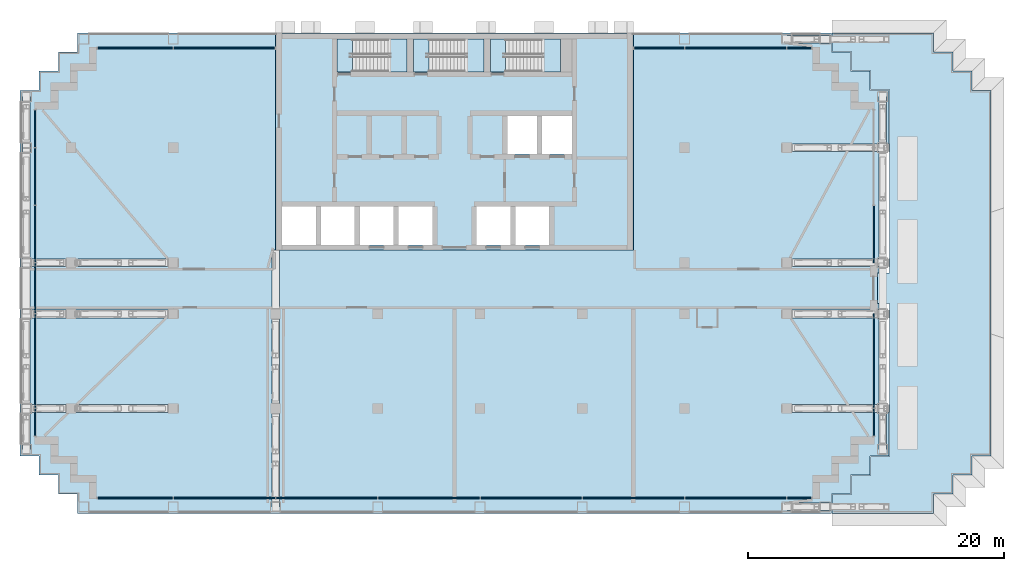
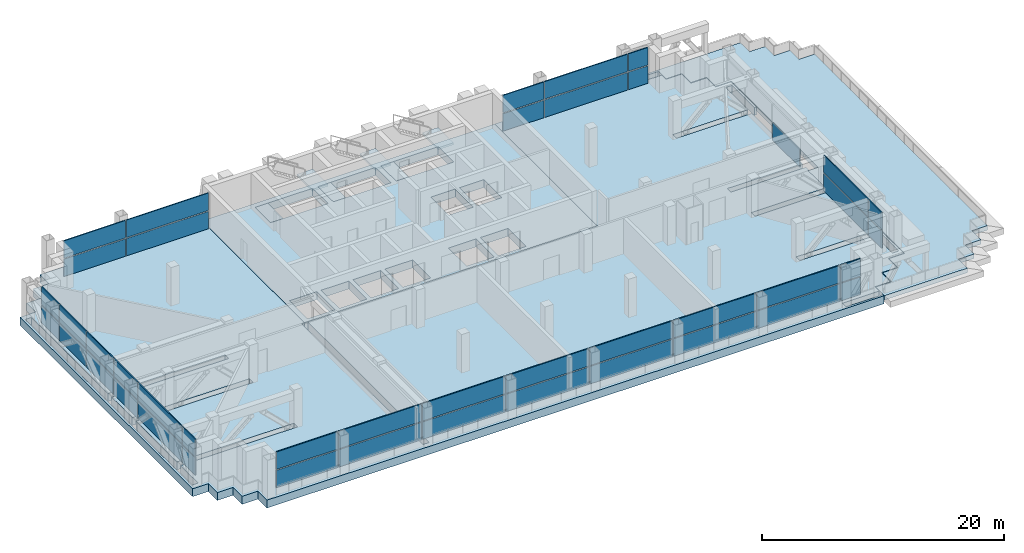
# One storey, part 7 of 25: 43 plates, 9 slabs, 9 elements without a shape of their own.
"""IFC4 building model written with IfcOpenShell, lengths in metres."""

from ifc_helpers import new_model, si_unit, direction, frame, origin, origin_2d, place, context, subcontext, project, spatial, polyline, rectangle, outline, extrude, material, layer, layer_set, type_object, element, aggregate, save


model = new_model("IFC4")

# Units and contexts
model_context = context("Model", 3, precision=1e-05, world=origin(), true_north=direction((0.0, 1.0)))
body_context = subcontext(model_context, "Body", "Model", "MODEL_VIEW")
ifc_project = project(units=[si_unit("LENGTHUNIT", "METRE"), si_unit("AREAUNIT", "SQUARE_METRE"), si_unit("VOLUMEUNIT", "CUBIC_METRE"), si_unit("PLANEANGLEUNIT", "RADIAN"), si_unit("MASSUNIT", "GRAM", prefix="KILO")], contexts=[model_context])

# Site, building, storey
site_placement = place(None, origin())
site = spatial("IfcSite", under=ifc_project, at=site_placement, CompositionType="ELEMENT")
building_placement = place(site_placement, origin())
building = spatial("IfcBuilding", under=site, at=building_placement, Name="Vidyagriha Tower", CompositionType="ELEMENT")
storey_placement = place(building_placement, frame((0.0, 0.0, 115.89990234375)))
storey = spatial("IfcBuildingStorey", under=building, at=storey_placement, Name="L29", CompositionType="ELEMENT", Elevation=115.89990234375)

# Slabs
ifc_material_1 = material(Name="Concrete C60/75", Category="concrete")
ifc_layer_1 = layer(ifc_material_1, 0.800048828125)
ifc_layer_set_1 = layer_set([ifc_layer_1], Name="Concrete C60/75")
slab_type_1 = type_object("IfcSlabType", Name="Core floor slab 800 mm", PredefinedType="FLOOR", material=ifc_layer_set_1)
slab_1_placement = place(storey_placement, frame((0.0, 0.0, -0.7998046875)))
element("IfcSlab", 1, at=slab_1_placement, inside=storey, type_object=slab_type_1, Name="L29 core floor 1", PredefinedType="FLOOR", context=body_context, shape_type="SweptSolid", body=[
    extrude(outline(polyline([(-14.0, 3.0), (-14.0, 20.0), (14.0, 20.0), (14.0, 3.0), (-14.0, 3.0)]), holes=[polyline([(9.199951171875, 13.5), (6.86669921875, 13.5), (6.86669921875, 10.5), (9.199951171875, 10.5), (9.199951171875, 13.5)]), polyline([(4.0, 19.5), (2.800048828125, 19.5), (2.800048828125, 16.949951171875), (4.0, 16.949951171875), (8.300048828125, 16.949951171875), (8.300048828125, 19.5), (4.0, 19.5)]), polyline([(7.4111328125, 6.39990234375), (4.7666015625, 6.39990234375), (4.7666015625, 3.39990234375), (7.4111328125, 3.39990234375), (7.4111328125, 6.39990234375)]), polyline([(6.466796875, 13.5), (4.13330078125, 13.5), (4.13330078125, 10.5), (6.466796875, 10.5), (6.466796875, 13.5)]), polyline([(1.72216796875, 6.39990234375), (1.72216796875, 3.39990234375), (4.36669921875, 3.39990234375), (4.36669921875, 6.39990234375), (1.72216796875, 6.39990234375)]), polyline([(-2.0, 16.949951171875), (2.300048828125, 16.949951171875), (2.300048828125, 19.5), (-2.0, 19.5), (-3.199951171875, 19.5), (-3.199951171875, 16.949951171875), (-2.0, 16.949951171875)]), polyline([(-1.72216796875, 6.39990234375), (-4.36669921875, 6.39990234375), (-4.36669921875, 3.39990234375), (-1.72216796875, 3.39990234375), (-1.72216796875, 6.39990234375)]), polyline([(-8.0, 19.5), (-9.199951171875, 19.5), (-9.199951171875, 16.949951171875), (-8.0, 16.949951171875), (-3.699951171875, 16.949951171875), (-3.699951171875, 19.5), (-8.0, 19.5)]), polyline([(-4.7666015625, 6.39990234375), (-7.4111328125, 6.39990234375), (-7.4111328125, 3.39990234375), (-4.7666015625, 3.39990234375), (-4.7666015625, 6.39990234375)]), polyline([(-7.81103515625, 6.39990234375), (-10.45556640625, 6.39990234375), (-10.45556640625, 3.39990234375), (-7.81103515625, 3.39990234375), (-7.81103515625, 6.39990234375)]), polyline([(-13.5, 6.39990234375), (-13.5, 3.39990234375), (-10.855712890625, 3.39990234375), (-10.855712890625, 6.39990234375), (-13.5, 6.39990234375)])]), origin(), (0.0, 0.0, 1.0), 0.7998046875),
])
ifc_material_2 = material(Name="Concrete C40/50", Category="concrete")
ifc_layer_2 = layer(ifc_material_2, 0.800048828125)
ifc_layer_set_2 = layer_set([ifc_layer_2], Name="Concrete C40/50")
slab_type_2 = type_object("IfcSlabType", Name="Exit stair floor landing 800 mm", PredefinedType="LANDING", material=ifc_layer_set_2)
slab_2_placement = place(storey_placement, frame((0.0, 0.0, -0.7998046875)))
element("IfcSlab", 2, at=slab_2_placement, inside=storey, type_object=slab_type_2, Name="ST1 floor landing L29", PredefinedType="LANDING", context=body_context, shape_type="SweptSolid", body=[
    extrude(outline(polyline([(-9.199951171875, 16.949951171875), (-8.0, 16.949951171875), (-8.0, 19.5), (-9.199951171875, 19.5), (-9.199951171875, 16.949951171875)])), origin(), (0.0, 0.0, 1.0), 0.7998046875),
])
slab_3_placement = place(storey_placement, frame((0.0, 0.0, -0.7998046875)))
element("IfcSlab", 3, at=slab_3_placement, inside=storey, type_object=slab_type_2, Name="ST2 floor landing L29", PredefinedType="LANDING", context=body_context, shape_type="SweptSolid", body=[
    extrude(outline(polyline([(-3.199951171875, 16.949951171875), (-2.0, 16.949951171875), (-2.0, 19.5), (-3.199951171875, 19.5), (-3.199951171875, 16.949951171875)])), origin(), (0.0, 0.0, 1.0), 0.7998046875),
])
slab_4_placement = place(storey_placement, frame((0.0, 0.0, -0.7998046875)))
element("IfcSlab", 4, at=slab_4_placement, inside=storey, type_object=slab_type_2, Name="ST3 floor landing L29", PredefinedType="LANDING", context=body_context, shape_type="SweptSolid", body=[
    extrude(outline(polyline([(2.800048828125, 16.949951171875), (4.0, 16.949951171875), (4.0, 19.5), (2.800048828125, 19.5), (2.800048828125, 16.949951171875)])), origin(), (0.0, 0.0, 1.0), 0.7998046875),
])

# Stair, slab
ifc_material_3 = material(Name="Concrete C40/50", Category="concrete")
stair_type = type_object("IfcStairType", Name="Exit stair, half-turn, precast flights", PredefinedType="HALF_TURN_STAIR", material=ifc_material_3)
stair_1_placement = place(storey_placement, origin())
stair_1 = element("IfcStair", 5, at=stair_1_placement, inside=storey, type_object=stair_type, Name="L29 Exit Stair ST1", PredefinedType="HALF_TURN_STAIR")
ifc_material_4 = material(Name="Concrete C40/50", Category="concrete")
ifc_layer_3 = layer(ifc_material_4, 0.199951171875)
ifc_layer_set_3 = layer_set([ifc_layer_3], Name="Concrete C40/50")
slab_type_3 = type_object("IfcSlabType", Name="Exit stair landing 200 mm", PredefinedType="LANDING", material=ifc_layer_set_3)
slab_5_placement = place(storey_placement, frame((0.0, 0.0, 1.75)))
slab_5 = element("IfcSlab", 6, at=slab_5_placement, type_object=slab_type_3, Name="ST1 landing 1", PredefinedType="LANDING", context=body_context, shape_type="SweptSolid", body=[
    extrude(outline(polyline([(-5.199951171875, 16.949951171875), (-3.699951171875, 16.949951171875), (-3.699951171875, 19.5), (-5.199951171875, 19.5), (-5.199951171875, 16.949951171875)])), origin(), (0.0, 0.0, 1.0), 0.2001953125),
])
aggregate(stair_1, [slab_5])

stair_2_placement = place(storey_placement, origin())
stair_2 = element("IfcStair", 7, at=stair_2_placement, inside=storey, type_object=stair_type, Name="L29 Exit Stair ST2", PredefinedType="HALF_TURN_STAIR")
slab_6_placement = place(storey_placement, frame((0.0, 0.0, 1.75)))
slab_6 = element("IfcSlab", 8, at=slab_6_placement, type_object=slab_type_3, Name="ST2 landing 1", PredefinedType="LANDING", context=body_context, shape_type="SweptSolid", body=[
    extrude(outline(polyline([(0.800048828125, 16.949951171875), (2.300048828125, 16.949951171875), (2.300048828125, 19.5), (0.800048828125, 19.5), (0.800048828125, 16.949951171875)])), origin(), (0.0, 0.0, 1.0), 0.2001953125),
])
aggregate(stair_2, [slab_6])

stair_3_placement = place(storey_placement, origin())
stair_3 = element("IfcStair", 9, at=stair_3_placement, inside=storey, type_object=stair_type, Name="L29 Exit Stair ST3", PredefinedType="HALF_TURN_STAIR")
slab_7_placement = place(storey_placement, frame((0.0, 0.0, 1.75)))
slab_7 = element("IfcSlab", 10, at=slab_7_placement, type_object=slab_type_3, Name="ST3 landing 1", PredefinedType="LANDING", context=body_context, shape_type="SweptSolid", body=[
    extrude(outline(polyline([(6.800048828125, 16.949951171875), (8.300048828125, 16.949951171875), (8.300048828125, 19.5), (6.800048828125, 19.5), (6.800048828125, 16.949951171875)])), origin(), (0.0, 0.0, 1.0), 0.2001953125),
])
aggregate(stair_3, [slab_7])

# Curtain wall, plates
ifc_material_5 = material(Name="Aluminium and glass curtain wall", Category="aluminium")
curtain_wall_type = type_object("IfcCurtainWallType", Name="Plant louvre wall", PredefinedType="USERDEFINED", material=ifc_material_5)
curtain_wall_1_placement = place(storey_placement, origin())
curtain_wall_1 = element("IfcCurtainWall", 11, at=curtain_wall_1_placement, inside=storey, type_object=curtain_wall_type, Name="CW7 plant louvre wall", ObjectType="STICK GLAZING", PredefinedType="USERDEFINED")
ifc_material_6 = material(Name="Perforated fired clay brick jaali screen", Category="masonry")
ifc_layer_4 = layer(ifc_material_6, 0.10009765625)
ifc_layer_set_4 = layer_set([ifc_layer_4], Name="Perforated fired clay brick jaali screen")
plate_type = type_object("IfcPlateType", Name="Perforated brick jaali screen panel", PredefinedType="CURTAIN_PANEL", material=ifc_layer_set_4)
plate_1_placement = place(storey_placement, frame((26.97998046875, 18.800048828125, 0.0), z_axis=(0.0, 0.0, 1.0), x_axis=(-1.0, 0.0, 0.0)))
plate_1 = element("IfcPlate", 12, at=plate_1_placement, type_object=plate_type, Name="CW7 panel 1.1", PredefinedType="CURTAIN_PANEL", context=body_context, shape_type="SweptSolid", body=[
    extrude(rectangle(XDim=1.8798828125, YDim=0.10009765625, at=origin_2d()), origin(), (0.0, 0.0, 1.0), 1.760009765625),
])
plate_2_placement = place(storey_placement, frame((26.97998046875, 18.800048828125, 1.85986328125), z_axis=(0.0, 0.0, 1.0), x_axis=(-1.0, 0.0, 0.0)))
plate_2 = element("IfcPlate", 13, at=plate_2_placement, type_object=plate_type, Name="CW7 panel 1.2", PredefinedType="CURTAIN_PANEL", context=body_context, shape_type="SweptSolid", body=[
    extrude(rectangle(XDim=1.8798828125, YDim=0.10009765625, at=origin_2d()), origin(), (0.0, 0.0, 1.0), 1.760009765625),
])
plate_3_placement = place(storey_placement, frame((22.0, 18.800048828125, 0.0), z_axis=(0.0, 0.0, 1.0), x_axis=(-1.0, 0.0, 0.0)))
plate_3 = element("IfcPlate", 14, at=plate_3_placement, type_object=plate_type, Name="CW7 panel 2.1", PredefinedType="CURTAIN_PANEL", context=body_context, shape_type="SweptSolid", body=[
    extrude(rectangle(XDim=7.919921875, YDim=0.10009765625, at=origin_2d()), origin(), (0.0, 0.0, 1.0), 1.760009765625),
])
plate_4_placement = place(storey_placement, frame((22.0, 18.800048828125, 1.85986328125), z_axis=(0.0, 0.0, 1.0), x_axis=(-1.0, 0.0, 0.0)))
plate_4 = element("IfcPlate", 15, at=plate_4_placement, type_object=plate_type, Name="CW7 panel 2.2", PredefinedType="CURTAIN_PANEL", context=body_context, shape_type="SweptSolid", body=[
    extrude(rectangle(XDim=7.919921875, YDim=0.10009765625, at=origin_2d()), origin(), (0.0, 0.0, 1.0), 1.760009765625),
])
plate_5_placement = place(storey_placement, frame((16.02001953125, 18.800048828125, 0.0), z_axis=(0.0, 0.0, 1.0), x_axis=(-1.0, 0.0, 0.0)))
plate_5 = element("IfcPlate", 16, at=plate_5_placement, type_object=plate_type, Name="CW7 panel 3.1", PredefinedType="CURTAIN_PANEL", context=body_context, shape_type="SweptSolid", body=[
    extrude(rectangle(XDim=3.8798828125, YDim=0.10009765625, at=origin_2d()), origin(), (0.0, 0.0, 1.0), 1.760009765625),
])
plate_6_placement = place(storey_placement, frame((16.02001953125, 18.800048828125, 1.85986328125), z_axis=(0.0, 0.0, 1.0), x_axis=(-1.0, 0.0, 0.0)))
plate_6 = element("IfcPlate", 17, at=plate_6_placement, type_object=plate_type, Name="CW7 panel 3.2", PredefinedType="CURTAIN_PANEL", context=body_context, shape_type="SweptSolid", body=[
    extrude(rectangle(XDim=3.8798828125, YDim=0.10009765625, at=origin_2d()), origin(), (0.0, 0.0, 1.0), 1.760009765625),
])
aggregate(curtain_wall_1, [plate_1, plate_2, plate_3, plate_4, plate_5, plate_6])

curtain_wall_2_placement = place(storey_placement, origin())
curtain_wall_2 = element("IfcCurtainWall", 18, at=curtain_wall_2_placement, inside=storey, type_object=curtain_wall_type, Name="CW7 plant louvre wall", ObjectType="STICK GLAZING", PredefinedType="USERDEFINED")
plate_7_placement = place(storey_placement, frame((-18.02001953125, 18.800048828125, 0.0), z_axis=(0.0, 0.0, 1.0), x_axis=(-1.0, 0.0, 0.0)))
plate_7 = element("IfcPlate", 19, at=plate_7_placement, type_object=plate_type, Name="CW7 panel 1.1", PredefinedType="CURTAIN_PANEL", context=body_context, shape_type="SweptSolid", body=[
    extrude(rectangle(XDim=7.8798828125, YDim=0.10009765625, at=origin_2d()), origin(), (0.0, 0.0, 1.0), 1.760009765625),
])
plate_8_placement = place(storey_placement, frame((-18.02001953125, 18.800048828125, 1.85986328125), z_axis=(0.0, 0.0, 1.0), x_axis=(-1.0, 0.0, 0.0)))
plate_8 = element("IfcPlate", 20, at=plate_8_placement, type_object=plate_type, Name="CW7 panel 1.2", PredefinedType="CURTAIN_PANEL", context=body_context, shape_type="SweptSolid", body=[
    extrude(rectangle(XDim=7.8798828125, YDim=0.10009765625, at=origin_2d()), origin(), (0.0, 0.0, 1.0), 1.760009765625),
])
plate_9_placement = place(storey_placement, frame((-24.97998046875, 18.800048828125, 0.0), z_axis=(0.0, 0.0, 1.0), x_axis=(-1.0, 0.0, 0.0)))
plate_9 = element("IfcPlate", 21, at=plate_9_placement, type_object=plate_type, Name="CW7 panel 2.1", PredefinedType="CURTAIN_PANEL", context=body_context, shape_type="SweptSolid", body=[
    extrude(rectangle(XDim=5.8798828125, YDim=0.10009765625, at=origin_2d()), origin(), (0.0, 0.0, 1.0), 1.760009765625),
])
plate_10_placement = place(storey_placement, frame((-24.97998046875, 18.800048828125, 1.85986328125), z_axis=(0.0, 0.0, 1.0), x_axis=(-1.0, 0.0, 0.0)))
plate_10 = element("IfcPlate", 22, at=plate_10_placement, type_object=plate_type, Name="CW7 panel 2.2", PredefinedType="CURTAIN_PANEL", context=body_context, shape_type="SweptSolid", body=[
    extrude(rectangle(XDim=5.8798828125, YDim=0.10009765625, at=origin_2d()), origin(), (0.0, 0.0, 1.0), 1.760009765625),
])
aggregate(curtain_wall_2, [plate_7, plate_8, plate_9, plate_10])

curtain_wall_3_placement = place(storey_placement, origin())
curtain_wall_3 = element("IfcCurtainWall", 23, at=curtain_wall_3_placement, inside=storey, type_object=curtain_wall_type, Name="CW7 plant louvre wall", ObjectType="STICK GLAZING", PredefinedType="USERDEFINED")
plate_11_placement = place(storey_placement, frame((-32.800048828125, 12.47998046875, 0.0), z_axis=(0.0, 0.0, 1.0), x_axis=(0.0, -1.0, 0.0)))
plate_11 = element("IfcPlate", 24, at=plate_11_placement, type_object=plate_type, Name="CW7 panel 1.1", PredefinedType="CURTAIN_PANEL", context=body_context, shape_type="SweptSolid", body=[
    extrude(rectangle(XDim=2.8798828125, YDim=0.10009765625, at=origin_2d()), origin(), (0.0, 0.0, 1.0), 1.760009765625),
])
plate_12_placement = place(storey_placement, frame((-32.800048828125, 12.47998046875, 1.85986328125), z_axis=(0.0, 0.0, 1.0), x_axis=(0.0, -1.0, 0.0)))
plate_12 = element("IfcPlate", 25, at=plate_12_placement, type_object=plate_type, Name="CW7 panel 1.2", PredefinedType="CURTAIN_PANEL", context=body_context, shape_type="SweptSolid", body=[
    extrude(rectangle(XDim=2.8798828125, YDim=0.10009765625, at=origin_2d()), origin(), (0.0, 0.0, 1.0), 1.760009765625),
])
plate_13_placement = place(storey_placement, frame((-32.800048828125, 8.75, 0.0), z_axis=(0.0, 0.0, 1.0), x_axis=(0.0, -1.0, 0.0)))
plate_13 = element("IfcPlate", 26, at=plate_13_placement, type_object=plate_type, Name="CW7 panel 2.1", PredefinedType="CURTAIN_PANEL", context=body_context, shape_type="SweptSolid", body=[
    extrude(rectangle(XDim=4.419921875, YDim=0.10009765625, at=origin_2d()), origin(), (0.0, 0.0, 1.0), 1.760009765625),
])
plate_14_placement = place(storey_placement, frame((-32.800048828125, 8.75, 1.85986328125), z_axis=(0.0, 0.0, 1.0), x_axis=(0.0, -1.0, 0.0)))
plate_14 = element("IfcPlate", 27, at=plate_14_placement, type_object=plate_type, Name="CW7 panel 2.2", PredefinedType="CURTAIN_PANEL", context=body_context, shape_type="SweptSolid", body=[
    extrude(rectangle(XDim=4.419921875, YDim=0.10009765625, at=origin_2d()), origin(), (0.0, 0.0, 1.0), 1.760009765625),
])
plate_15_placement = place(storey_placement, frame((-32.800048828125, 4.25, 0.0), z_axis=(0.0, 0.0, 1.0), x_axis=(0.0, -1.0, 0.0)))
plate_15 = element("IfcPlate", 28, at=plate_15_placement, type_object=plate_type, Name="CW7 panel 3.1", PredefinedType="CURTAIN_PANEL", context=body_context, shape_type="SweptSolid", body=[
    extrude(rectangle(XDim=4.419921875, YDim=0.10009765625, at=origin_2d()), origin(), (0.0, 0.0, 1.0), 1.760009765625),
])
plate_16_placement = place(storey_placement, frame((-32.800048828125, 4.25, 1.85986328125), z_axis=(0.0, 0.0, 1.0), x_axis=(0.0, -1.0, 0.0)))
plate_16 = element("IfcPlate", 29, at=plate_16_placement, type_object=plate_type, Name="CW7 panel 3.2", PredefinedType="CURTAIN_PANEL", context=body_context, shape_type="SweptSolid", body=[
    extrude(rectangle(XDim=4.419921875, YDim=0.10009765625, at=origin_2d()), origin(), (0.0, 0.0, 1.0), 1.760009765625),
])
plate_17_placement = place(storey_placement, frame((-32.800048828125, 0.0, 0.0), z_axis=(0.0, 0.0, 1.0), x_axis=(0.0, -1.0, 0.0)))
plate_17 = element("IfcPlate", 30, at=plate_17_placement, type_object=plate_type, Name="CW7 panel 4.1", PredefinedType="CURTAIN_PANEL", context=body_context, shape_type="SweptSolid", body=[
    extrude(rectangle(XDim=3.919921875, YDim=0.10009765625, at=origin_2d()), origin(), (0.0, 0.0, 1.0), 1.760009765625),
])
plate_18_placement = place(storey_placement, frame((-32.800048828125, 0.0, 1.85986328125), z_axis=(0.0, 0.0, 1.0), x_axis=(0.0, -1.0, 0.0)))
plate_18 = element("IfcPlate", 31, at=plate_18_placement, type_object=plate_type, Name="CW7 panel 4.2", PredefinedType="CURTAIN_PANEL", context=body_context, shape_type="SweptSolid", body=[
    extrude(rectangle(XDim=3.919921875, YDim=0.10009765625, at=origin_2d()), origin(), (0.0, 0.0, 1.0), 1.760009765625),
])
plate_19_placement = place(storey_placement, frame((-32.800048828125, -5.699951171875, 0.0), z_axis=(0.0, 0.0, 1.0), x_axis=(0.0, -1.0, 0.0)))
plate_19 = element("IfcPlate", 32, at=plate_19_placement, type_object=plate_type, Name="CW7 panel 5.1", PredefinedType="CURTAIN_PANEL", context=body_context, shape_type="SweptSolid", body=[
    extrude(rectangle(XDim=7.320068359375, YDim=0.10009765625, at=origin_2d()), origin(), (0.0, 0.0, 1.0), 1.760009765625),
])
plate_20_placement = place(storey_placement, frame((-32.800048828125, -5.699951171875, 1.85986328125), z_axis=(0.0, 0.0, 1.0), x_axis=(0.0, -1.0, 0.0)))
plate_20 = element("IfcPlate", 33, at=plate_20_placement, type_object=plate_type, Name="CW7 panel 5.2", PredefinedType="CURTAIN_PANEL", context=body_context, shape_type="SweptSolid", body=[
    extrude(rectangle(XDim=7.320068359375, YDim=0.10009765625, at=origin_2d()), origin(), (0.0, 0.0, 1.0), 1.760009765625),
])
plate_21_placement = place(storey_placement, frame((-32.800048828125, -10.47998046875, 0.0), z_axis=(0.0, 0.0, 1.0), x_axis=(0.0, -1.0, 0.0)))
plate_21 = element("IfcPlate", 34, at=plate_21_placement, type_object=plate_type, Name="CW7 panel 6.1", PredefinedType="CURTAIN_PANEL", context=body_context, shape_type="SweptSolid", body=[
    extrude(rectangle(XDim=2.080078125, YDim=0.10009765625, at=origin_2d()), origin(), (0.0, 0.0, 1.0), 1.760009765625),
])
plate_22_placement = place(storey_placement, frame((-32.800048828125, -10.47998046875, 1.85986328125), z_axis=(0.0, 0.0, 1.0), x_axis=(0.0, -1.0, 0.0)))
plate_22 = element("IfcPlate", 35, at=plate_22_placement, type_object=plate_type, Name="CW7 panel 6.2", PredefinedType="CURTAIN_PANEL", context=body_context, shape_type="SweptSolid", body=[
    extrude(rectangle(XDim=2.080078125, YDim=0.10009765625, at=origin_2d()), origin(), (0.0, 0.0, 1.0), 1.760009765625),
])
aggregate(curtain_wall_3, [plate_11, plate_12, plate_13, plate_14, plate_15, plate_16, plate_17, plate_18, plate_19, plate_20, plate_21, plate_22])

curtain_wall_4_placement = place(storey_placement, origin())
curtain_wall_4 = element("IfcCurtainWall", 36, at=curtain_wall_4_placement, inside=storey, type_object=curtain_wall_type, Name="CW7 plant louvre wall", ObjectType="STICK GLAZING", PredefinedType="USERDEFINED")
plate_23_placement = place(storey_placement, frame((-24.97998046875, -16.39990234375, 0.0)))
plate_23 = element("IfcPlate", 37, at=plate_23_placement, type_object=plate_type, Name="CW7 panel 1.1", PredefinedType="CURTAIN_PANEL", context=body_context, shape_type="SweptSolid", body=[
    extrude(rectangle(XDim=5.8798828125, YDim=0.10009765625, at=origin_2d()), origin(), (0.0, 0.0, 1.0), 1.760009765625),
])
plate_24_placement = place(storey_placement, frame((-24.97998046875, -16.39990234375, 1.85986328125)))
plate_24 = element("IfcPlate", 38, at=plate_24_placement, type_object=plate_type, Name="CW7 panel 1.2", PredefinedType="CURTAIN_PANEL", context=body_context, shape_type="SweptSolid", body=[
    extrude(rectangle(XDim=5.8798828125, YDim=0.10009765625, at=origin_2d()), origin(), (0.0, 0.0, 1.0), 1.760009765625),
])
plate_25_placement = place(storey_placement, frame((-18.0, -16.39990234375, 0.0)))
plate_25 = element("IfcPlate", 39, at=plate_25_placement, type_object=plate_type, Name="CW7 panel 2.1", PredefinedType="CURTAIN_PANEL", context=body_context, shape_type="SweptSolid", body=[
    extrude(rectangle(XDim=7.919921875, YDim=0.10009765625, at=origin_2d()), origin(), (0.0, 0.0, 1.0), 1.760009765625),
])
plate_26_placement = place(storey_placement, frame((-18.0, -16.39990234375, 1.85986328125)))
plate_26 = element("IfcPlate", 40, at=plate_26_placement, type_object=plate_type, Name="CW7 panel 2.2", PredefinedType="CURTAIN_PANEL", context=body_context, shape_type="SweptSolid", body=[
    extrude(rectangle(XDim=7.919921875, YDim=0.10009765625, at=origin_2d()), origin(), (0.0, 0.0, 1.0), 1.760009765625),
])
plate_27_placement = place(storey_placement, frame((-10.0, -16.39990234375, 0.0)))
plate_27 = element("IfcPlate", 41, at=plate_27_placement, type_object=plate_type, Name="CW7 panel 3.1", PredefinedType="CURTAIN_PANEL", context=body_context, shape_type="SweptSolid", body=[
    extrude(rectangle(XDim=7.919921875, YDim=0.10009765625, at=origin_2d()), origin(), (0.0, 0.0, 1.0), 1.760009765625),
])
plate_28_placement = place(storey_placement, frame((-10.0, -16.39990234375, 1.85986328125)))
plate_28 = element("IfcPlate", 42, at=plate_28_placement, type_object=plate_type, Name="CW7 panel 3.2", PredefinedType="CURTAIN_PANEL", context=body_context, shape_type="SweptSolid", body=[
    extrude(rectangle(XDim=7.919921875, YDim=0.10009765625, at=origin_2d()), origin(), (0.0, 0.0, 1.0), 1.760009765625),
])
plate_29_placement = place(storey_placement, frame((-2.0, -16.39990234375, 0.0)))
plate_29 = element("IfcPlate", 43, at=plate_29_placement, type_object=plate_type, Name="CW7 panel 4.1", PredefinedType="CURTAIN_PANEL", context=body_context, shape_type="SweptSolid", body=[
    extrude(rectangle(XDim=7.919921875, YDim=0.10009765625, at=origin_2d()), origin(), (0.0, 0.0, 1.0), 1.760009765625),
])
plate_30_placement = place(storey_placement, frame((-2.0, -16.39990234375, 1.85986328125)))
plate_30 = element("IfcPlate", 44, at=plate_30_placement, type_object=plate_type, Name="CW7 panel 4.2", PredefinedType="CURTAIN_PANEL", context=body_context, shape_type="SweptSolid", body=[
    extrude(rectangle(XDim=7.919921875, YDim=0.10009765625, at=origin_2d()), origin(), (0.0, 0.0, 1.0), 1.760009765625),
])
plate_31_placement = place(storey_placement, frame((6.0, -16.39990234375, 0.0)))
plate_31 = element("IfcPlate", 45, at=plate_31_placement, type_object=plate_type, Name="CW7 panel 5.1", PredefinedType="CURTAIN_PANEL", context=body_context, shape_type="SweptSolid", body=[
    extrude(rectangle(XDim=7.919921875, YDim=0.10009765625, at=origin_2d()), origin(), (0.0, 0.0, 1.0), 1.760009765625),
])
plate_32_placement = place(storey_placement, frame((6.0, -16.39990234375, 1.85986328125)))
plate_32 = element("IfcPlate", 46, at=plate_32_placement, type_object=plate_type, Name="CW7 panel 5.2", PredefinedType="CURTAIN_PANEL", context=body_context, shape_type="SweptSolid", body=[
    extrude(rectangle(XDim=7.919921875, YDim=0.10009765625, at=origin_2d()), origin(), (0.0, 0.0, 1.0), 1.760009765625),
])
plate_33_placement = place(storey_placement, frame((14.0, -16.39990234375, 0.0)))
plate_33 = element("IfcPlate", 47, at=plate_33_placement, type_object=plate_type, Name="CW7 panel 6.1", PredefinedType="CURTAIN_PANEL", context=body_context, shape_type="SweptSolid", body=[
    extrude(rectangle(XDim=7.919921875, YDim=0.10009765625, at=origin_2d()), origin(), (0.0, 0.0, 1.0), 1.760009765625),
])
plate_34_placement = place(storey_placement, frame((14.0, -16.39990234375, 1.85986328125)))
plate_34 = element("IfcPlate", 48, at=plate_34_placement, type_object=plate_type, Name="CW7 panel 6.2", PredefinedType="CURTAIN_PANEL", context=body_context, shape_type="SweptSolid", body=[
    extrude(rectangle(XDim=7.919921875, YDim=0.10009765625, at=origin_2d()), origin(), (0.0, 0.0, 1.0), 1.760009765625),
])
plate_35_placement = place(storey_placement, frame((22.0, -16.39990234375, 0.0)))
plate_35 = element("IfcPlate", 49, at=plate_35_placement, type_object=plate_type, Name="CW7 panel 7.1", PredefinedType="CURTAIN_PANEL", context=body_context, shape_type="SweptSolid", body=[
    extrude(rectangle(XDim=7.919921875, YDim=0.10009765625, at=origin_2d()), origin(), (0.0, 0.0, 1.0), 1.760009765625),
])
plate_36_placement = place(storey_placement, frame((22.0, -16.39990234375, 1.85986328125)))
plate_36 = element("IfcPlate", 50, at=plate_36_placement, type_object=plate_type, Name="CW7 panel 7.2", PredefinedType="CURTAIN_PANEL", context=body_context, shape_type="SweptSolid", body=[
    extrude(rectangle(XDim=7.919921875, YDim=0.10009765625, at=origin_2d()), origin(), (0.0, 0.0, 1.0), 1.760009765625),
])
plate_37_placement = place(storey_placement, frame((26.97998046875, -16.39990234375, 0.0)))
plate_37 = element("IfcPlate", 51, at=plate_37_placement, type_object=plate_type, Name="CW7 panel 8.1", PredefinedType="CURTAIN_PANEL", context=body_context, shape_type="SweptSolid", body=[
    extrude(rectangle(XDim=1.8798828125, YDim=0.10009765625, at=origin_2d()), origin(), (0.0, 0.0, 1.0), 1.760009765625),
])
plate_38_placement = place(storey_placement, frame((26.97998046875, -16.39990234375, 1.85986328125)))
plate_38 = element("IfcPlate", 52, at=plate_38_placement, type_object=plate_type, Name="CW7 panel 8.2", PredefinedType="CURTAIN_PANEL", context=body_context, shape_type="SweptSolid", body=[
    extrude(rectangle(XDim=1.8798828125, YDim=0.10009765625, at=origin_2d()), origin(), (0.0, 0.0, 1.0), 1.760009765625),
])
aggregate(curtain_wall_4, [plate_23, plate_24, plate_25, plate_26, plate_27, plate_28, plate_29, plate_30, plate_31, plate_32, plate_33, plate_34, plate_35, plate_36, plate_37, plate_38])

curtain_wall_5_placement = place(storey_placement, origin())
curtain_wall_5 = element("IfcCurtainWall", 53, at=curtain_wall_5_placement, inside=storey, type_object=curtain_wall_type, Name="CW7 plant louvre wall", ObjectType="STICK GLAZING", PredefinedType="USERDEFINED")
plate_39_placement = place(storey_placement, frame((32.800048828125, -10.47998046875, 0.0), z_axis=(0.0, 0.0, 1.0), x_axis=(0.0, 1.0, 0.0)))
plate_39 = element("IfcPlate", 54, at=plate_39_placement, type_object=plate_type, Name="CW7 panel 1.1", PredefinedType="CURTAIN_PANEL", context=body_context, shape_type="SweptSolid", body=[
    extrude(rectangle(XDim=2.080078125, YDim=0.10009765625, at=origin_2d()), origin(), (0.0, 0.0, 1.0), 1.760009765625),
])
plate_40_placement = place(storey_placement, frame((32.800048828125, -10.47998046875, 1.85986328125), z_axis=(0.0, 0.0, 1.0), x_axis=(0.0, 1.0, 0.0)))
plate_40 = element("IfcPlate", 55, at=plate_40_placement, type_object=plate_type, Name="CW7 panel 1.2", PredefinedType="CURTAIN_PANEL", context=body_context, shape_type="SweptSolid", body=[
    extrude(rectangle(XDim=2.080078125, YDim=0.10009765625, at=origin_2d()), origin(), (0.0, 0.0, 1.0), 1.760009765625),
])
plate_41_placement = place(storey_placement, frame((32.800048828125, -5.679931640625, 0.0), z_axis=(0.0, 0.0, 1.0), x_axis=(0.0, 1.0, 0.0)))
plate_41 = element("IfcPlate", 56, at=plate_41_placement, type_object=plate_type, Name="CW7 panel 2.1", PredefinedType="CURTAIN_PANEL", context=body_context, shape_type="SweptSolid", body=[
    extrude(rectangle(XDim=7.360107421875, YDim=0.10009765625, at=origin_2d()), origin(), (0.0, 0.0, 1.0), 1.760009765625),
])
plate_42_placement = place(storey_placement, frame((32.800048828125, -5.679931640625, 1.85986328125), z_axis=(0.0, 0.0, 1.0), x_axis=(0.0, 1.0, 0.0)))
plate_42 = element("IfcPlate", 57, at=plate_42_placement, type_object=plate_type, Name="CW7 panel 2.2", PredefinedType="CURTAIN_PANEL", context=body_context, shape_type="SweptSolid", body=[
    extrude(rectangle(XDim=7.360107421875, YDim=0.10009765625, at=origin_2d()), origin(), (0.0, 0.0, 1.0), 1.760009765625),
])
aggregate(curtain_wall_5, [plate_39, plate_40, plate_41, plate_42])

# Curtain wall, plate
curtain_wall_6_placement = place(storey_placement, origin())
curtain_wall_6 = element("IfcCurtainWall", 58, at=curtain_wall_6_placement, inside=storey, type_object=curtain_wall_type, Name="CW7 plant louvre wall", ObjectType="STICK GLAZING", PredefinedType="USERDEFINED")
plate_43_placement = place(storey_placement, frame((32.800048828125, 4.22998046875, 0.0), z_axis=(0.0, 0.0, 1.0), x_axis=(0.0, 1.0, 0.0)))
plate_43 = element("IfcPlate", 59, at=plate_43_placement, type_object=plate_type, Name="CW7 panel 1.1", PredefinedType="CURTAIN_PANEL", context=body_context, shape_type="SweptSolid", body=[
    extrude(rectangle(XDim=4.4599609375, YDim=0.10009765625, at=origin_2d()), origin(), (0.0, 0.0, 1.0), 1.760009765625),
])
aggregate(curtain_wall_6, [plate_43])

# Slabs
ifc_material_7 = material(Name="Concrete C50/60", Category="concrete")
ifc_layer_5 = layer(ifc_material_7, 0.449951171875)
ifc_layer_set_5 = layer_set([ifc_layer_5], Name="Concrete C50/60")
slab_type_4 = type_object("IfcSlabType", Name="Post-tensioned terrace slab 450", PredefinedType="FLOOR", material=ifc_layer_set_5)
slab_8_placement = place(storey_placement, frame((0.0, 0.0, -0.449951171875)))
element("IfcSlab", 60, at=slab_8_placement, inside=storey, type_object=slab_type_4, Name="st-terrace-TR-B3-1", PredefinedType="FLOOR", context=body_context, shape_type="SweptSolid", body=[
    extrude(outline(polyline([(34.050048828125, 1.199951171875), (34.050048828125, 15.5), (34.049072265625, 15.509765625), (34.046142578125, 15.51904296875), (34.04150390625, 15.52783203125), (34.035400390625, 15.535400390625), (34.03173828125, 15.538818359375), (34.01904296875, 15.546142578125), (34.009765625, 15.549072265625), (34.0, 15.550048828125), (32.550048828125, 15.550048828125), (32.550048828125, 17.0), (32.5498046875, 17.0048828125), (32.5478515625, 17.014404296875), (32.54150390625, 17.02783203125), (32.535400390625, 17.035400390625), (32.523681640625, 17.044189453125), (32.509765625, 17.049072265625), (32.5, 17.050048828125), (31.050048828125, 17.050048828125), (31.050048828125, 18.5), (31.049072265625, 18.509765625), (31.044189453125, 18.523681640625), (31.035400390625, 18.535400390625), (31.02783203125, 18.54150390625), (31.014404296875, 18.5478515625), (31.0048828125, 18.5498046875), (31.0, 18.550048828125), (29.550048828125, 18.550048828125), (29.550048828125, 20.0), (37.5, 20.0), (37.5, 18.5), (39.0, 18.5), (39.0, 17.0), (40.5, 17.0), (40.5, 15.5), (42.0, 15.5), (42.0, -13.10009765625), (40.5, -13.10009765625), (40.5, -14.60009765625), (39.0, -14.60009765625), (39.0, -16.10009765625), (37.5, -16.10009765625), (37.5, -17.60009765625), (29.550048828125, -17.60009765625), (29.550048828125, -16.14990234375), (31.0, -16.14990234375), (31.0048828125, -16.14990234375), (31.014404296875, -16.147705078125), (31.02783203125, -16.1416015625), (31.035400390625, -16.135498046875), (31.044189453125, -16.12353515625), (31.049072265625, -16.10986328125), (31.050048828125, -16.10009765625), (31.050048828125, -14.64990234375), (32.5, -14.64990234375), (32.509765625, -14.64892578125), (32.523681640625, -14.64404296875), (32.535400390625, -14.635498046875), (32.54150390625, -14.627685546875), (32.5478515625, -14.614501953125), (32.5498046875, -14.60498046875), (32.550048828125, -14.60009765625), (32.550048828125, -13.14990234375), (34.0, -13.14990234375), (34.009765625, -13.14892578125), (34.01904296875, -13.146240234375), (34.03173828125, -13.138671875), (34.035400390625, -13.135498046875), (34.04150390625, -13.127685546875), (34.046142578125, -13.119140625), (34.049072265625, -13.10986328125), (34.050048828125, -13.10009765625), (34.050048828125, -1.199951171875), (33.10009765625, -1.199951171875), (33.10009765625, 1.199951171875), (34.050048828125, 1.199951171875)])), origin(), (0.0, 0.0, 1.0), 0.449951171875),
])
ifc_material_8 = material(Name="Concrete C50/60", Category="concrete")
ifc_layer_6 = layer(ifc_material_8, 0.800048828125)
ifc_layer_set_6 = layer_set([ifc_layer_6], Name="Concrete C50/60")
slab_type_5 = type_object("IfcSlabType", Name="Post-tensioned transfer deck 800", PredefinedType="FLOOR", material=ifc_layer_set_6)
slab_9_placement = place(storey_placement, frame((0.0, 0.0, -0.7998046875)))
element("IfcSlab", 61, at=slab_9_placement, inside=storey, type_object=slab_type_5, Name="st-slab-L29-1", PredefinedType="FLOOR", context=body_context, shape_type="SweptSolid", body=[
    extrude(outline(polyline([(31.0, -14.60009765625), (31.0, -16.10009765625), (29.5, -16.10009765625), (29.5, -16.800048828125), (26.0, -16.800048828125), (26.0, -17.39990234375), (29.5, -17.39990234375), (29.5, -17.60009765625), (-29.5, -17.60009765625), (-29.5, -16.10009765625), (-31.0, -16.10009765625), (-31.0, -14.60009765625), (-32.5, -14.60009765625), (-32.5, -13.10009765625), (-34.0, -13.10009765625), (-34.0, 15.5), (-32.5, 15.5), (-32.5, 17.0), (-31.0, 17.0), (-31.0, 18.5), (-29.5, 18.5), (-29.5, 20.0), (-14.0, 20.0), (-14.0, 3.0), (-14.300048828125, 3.0), (-14.300048828125, -17.10009765625), (-13.699951171875, -17.10009765625), (-13.699951171875, 3.0), (14.0, 3.0), (14.0, 20.0), (29.5, 20.0), (29.5, 19.800048828125), (26.0, 19.800048828125), (26.0, 19.199951171875), (29.5, 19.199951171875), (29.5, 18.5), (31.0, 18.5), (31.0, 17.0), (32.5, 17.0), (32.5, 15.5), (34.0, 15.5), (34.0, 11.300048828125), (33.800048828125, 11.300048828125), (33.800048828125, 15.0), (33.199951171875, 15.0), (33.199951171875, 11.300048828125), (26.0, 11.300048828125), (26.0, 10.699951171875), (33.199951171875, 10.699951171875), (33.199951171875, 2.300048828125), (26.0, 2.300048828125), (26.0, 1.699951171875), (33.199951171875, 1.699951171875), (33.199951171875, 1.199951171875), (33.10009765625, 1.199951171875), (33.10009765625, -1.199951171875), (33.199951171875, -1.199951171875), (33.199951171875, -1.699951171875), (26.0, -1.699951171875), (26.0, -2.300048828125), (33.199951171875, -2.300048828125), (33.199951171875, -9.10009765625), (26.0, -9.10009765625), (26.0, -9.699951171875), (33.199951171875, -9.699951171875), (33.199951171875, -12.60009765625), (33.800048828125, -12.60009765625), (33.800048828125, -9.699951171875), (34.0, -9.699951171875), (34.0, -13.10009765625), (32.5, -13.10009765625), (32.5, -14.60009765625), (31.0, -14.60009765625)]), holes=[polyline([(-22.0, -9.10009765625), (-33.199951171875, -9.10009765625), (-33.199951171875, -2.300048828125), (-22.0, -2.300048828125), (-22.0, -1.699951171875), (-33.199951171875, -1.699951171875), (-33.199951171875, 1.699951171875), (-22.0, 1.699951171875), (-22.0, 2.300048828125), (-33.199951171875, 2.300048828125), (-33.199951171875, 15.0), (-33.800048828125, 15.0), (-33.800048828125, -12.60009765625), (-33.199951171875, -12.60009765625), (-33.199951171875, -9.699951171875), (-22.0, -9.699951171875), (-22.0, -9.10009765625)])]), origin(), (0.0, 0.0, 1.0), 0.7998046875),
])

save(model, "model.ifc")
